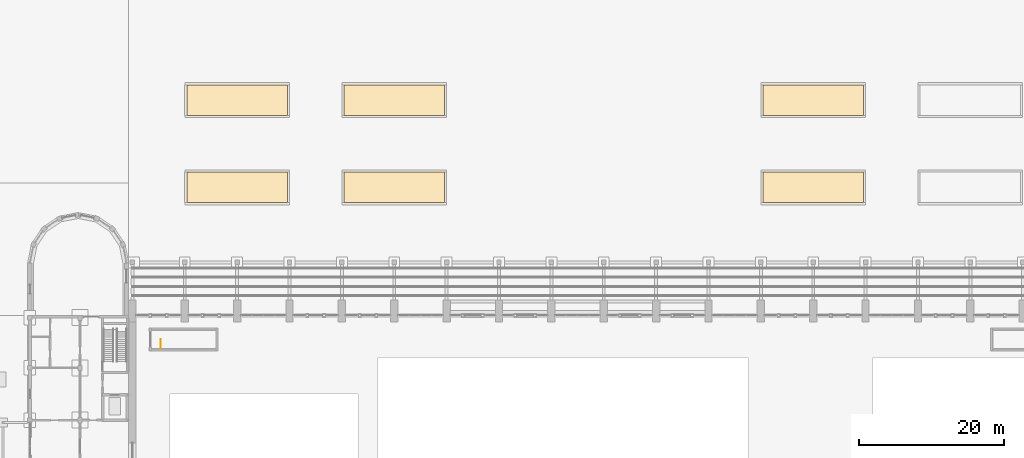
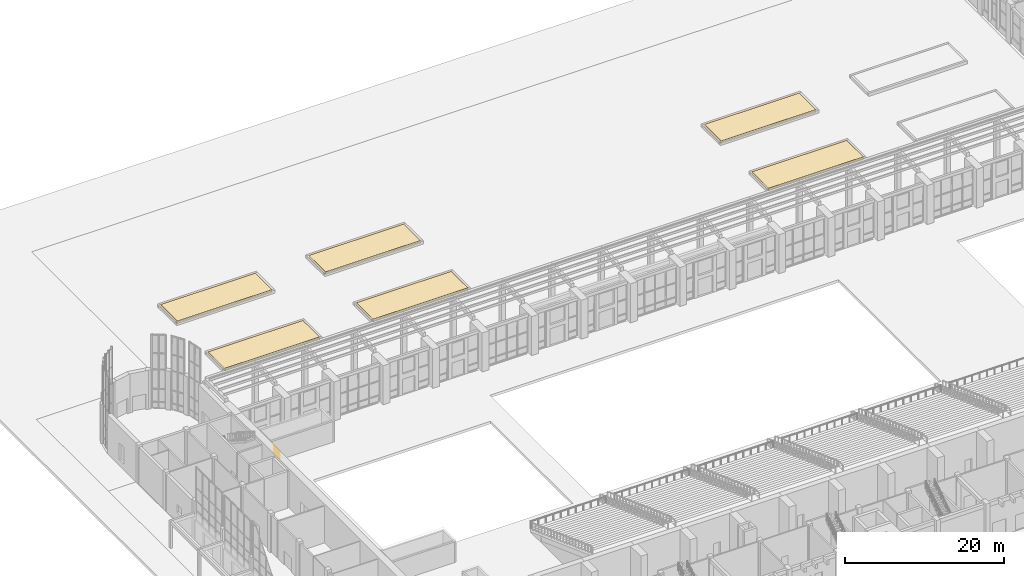
# One storey, part 65 of 70: 12 coverings, 1 railing.
"""IFC4 building model written with IfcOpenShell, lengths in metres."""

import ifcopenshell
import ifcopenshell.guid

model = None  # the IFC model being written
_history = None  # IfcOwnerHistory: only IFC2X3 demands one
_inside = {}  # id of a spatial element -> (the spatial element, [elements in it])
_under = {}  # id of a project, library or spatial element -> (it, [spatial elements below it])
_declared = {}  # id of a project -> (the project, [libraries it declares])
_typed = {}  # id of a type object -> (the type object, [elements of that type])
_made_of = {}  # id of a material, layer set ... -> (it, [elements and type objects made of it])


def new_model(schema):
    """Start an empty IFC model of exactly this schema.

    Asked for "IFC4X3", IfcOpenShell would pick the latest addendum, in which some entities
    have other attributes; the version numbers below select the first issue.
    IFC2X3 requires an IfcOwnerHistory on every rooted entity: one is made here for all.
    """
    global model, _history
    if schema == "IFC4X3":
        model = ifcopenshell.file(schema_version=(4, 3, 0, 0))
    else:
        model = ifcopenshell.file(schema=schema)
    _inside.clear()
    _under.clear()
    _declared.clear()
    _typed.clear()
    _made_of.clear()
    _history = None
    if model.schema == "IFC2X3":
        org = make("IfcOrganization", Name="unknown")
        user = make(
            "IfcPersonAndOrganization",
            ThePerson=make("IfcPerson", FamilyName="unknown"),
            TheOrganization=org,
        )
        app = make(
            "IfcApplication",
            ApplicationDeveloper=org,
            Version="unknown",
            ApplicationFullName="unknown",
            ApplicationIdentifier="unknown",
        )
        _history = make(
            "IfcOwnerHistory",
            OwningUser=user,
            OwningApplication=app,
            ChangeAction="ADDED",
            CreationDate=0,
        )
    return model


def make(cls, **values):
    """One entity of the class cls with the attributes given. An attribute that is None is left unset."""
    return model.create_entity(
        cls, **{name: value for name, value in values.items() if value is not None}
    )


def rooted(cls, **values):
    """An entity with a GlobalId (a new one), such as an element, a storey or a relation."""
    return make(cls, GlobalId=ifcopenshell.guid.new(), OwnerHistory=_history, **values)


def si_unit(unit_type, name, prefix=None):
    """IfcSIUnit, for example si_unit("LENGTHUNIT", "METRE", prefix="MILLI")."""
    return make("IfcSIUnit", UnitType=unit_type, Prefix=prefix, Name=name)


def assignment(units):
    """IfcUnitAssignment: the units of a project."""
    return None if units is None else make("IfcUnitAssignment", Units=units)


def point(xyz):
    """IfcCartesianPoint."""
    return None if xyz is None else make("IfcCartesianPoint", Coordinates=xyz)


def direction(xyz):
    """IfcDirection."""
    return None if xyz is None else make("IfcDirection", DirectionRatios=xyz)


def frame(location, z_axis=None, x_axis=None):
    """IfcAxis2Placement3D, a coordinate frame: its origin and axes. An axis left out is left unset."""
    return make(
        "IfcAxis2Placement3D",
        Location=point(location),
        Axis=direction(z_axis),
        RefDirection=direction(x_axis),
    )


def frame_2d(location, x_axis=None):
    """IfcAxis2Placement2D, a coordinate frame in the plane: its origin and x axis."""
    return make(
        "IfcAxis2Placement2D", Location=point(location), RefDirection=direction(x_axis)
    )


def origin():
    """The frame at (0, 0, 0) with its axes left unset."""
    return frame((0.0, 0.0, 0.0))


def origin_2d():
    """The frame at (0, 0) in the plane with its x axis left unset."""
    return frame_2d((0.0, 0.0))


def place(relative_to, where):
    """IfcLocalPlacement: puts the frame where relative to a parent placement (None: the world)."""
    return make(
        "IfcLocalPlacement", PlacementRelTo=relative_to, RelativePlacement=where
    )


def context(
    kind, dimensions, precision=None, world=None, true_north=None, identifier=None
):
    """IfcGeometricRepresentationContext, for example the 3D "Model" context."""
    return make(
        "IfcGeometricRepresentationContext",
        ContextIdentifier=identifier,
        ContextType=kind,
        CoordinateSpaceDimension=dimensions,
        Precision=precision,
        WorldCoordinateSystem=world,
        TrueNorth=true_north,
    )


def subcontext(parent, identifier, kind, view, scale=None):
    """IfcGeometricRepresentationSubContext, for example "Body" below "Model"."""
    return make(
        "IfcGeometricRepresentationSubContext",
        ContextIdentifier=identifier,
        ContextType=kind,
        ParentContext=parent,
        TargetScale=scale,
        TargetView=view,
    )


def project(units=None, contexts=None):
    """IfcProject with its units and contexts."""
    return rooted(
        "IfcProject",
        Name="project",
        RepresentationContexts=contexts,
        UnitsInContext=assignment(units),
    )


def spatial(cls, under=None, at=None, **own):
    """A site, building, storey or space (cls), placed at a placement, below another one or the project."""
    s = rooted(cls, ObjectPlacement=at, **own)
    if under is not None:
        _under.setdefault(under.id(), (under, []))[1].append(s)
    return s


def polyline(points):
    """IfcPolyline through the points."""
    return make("IfcPolyline", Points=[point(p) for p in points])


def profile(cls, at=None, kind="AREA", **sizes):
    """A parametric profile (cls). Its sizes go by their IFC names, for example OverallWidth=200.0."""
    return make(cls, ProfileType=kind, Position=at, **sizes)


def circle(**sizes):
    """IfcCircleProfileDef."""
    return profile("IfcCircleProfileDef", **sizes)


def outline(outer, holes=None, kind="AREA"):
    """IfcArbitraryClosedProfileDef: a profile drawn as a closed curve; with holes, ...WithVoids."""
    if holes is None:
        return make("IfcArbitraryClosedProfileDef", ProfileType=kind, OuterCurve=outer)
    return make(
        "IfcArbitraryProfileDefWithVoids",
        ProfileType=kind,
        OuterCurve=outer,
        InnerCurves=holes,
    )


def extrude(swept, where, along, depth):
    """IfcExtrudedAreaSolid: the profile swept, set in the frame where, extruded along a direction by depth."""
    return make(
        "IfcExtrudedAreaSolid",
        SweptArea=swept,
        Position=where,
        ExtrudedDirection=direction(along),
        Depth=depth,
    )


def shape(context_of_items, identifier, shape_type, items):
    """IfcShapeRepresentation: the items that make up one representation, for example the "Body"."""
    return make(
        "IfcShapeRepresentation",
        ContextOfItems=context_of_items,
        RepresentationIdentifier=identifier,
        RepresentationType=shape_type,
        Items=items,
    )


def material(Name=None, Category=None):
    """IfcMaterial."""
    return make("IfcMaterial", Name=Name, Category=Category)


def layer(
    of_material, thickness, ventilated=None, Name=None, Category=None, Priority=None
):
    """IfcMaterialLayer: one layer of a wall or slab, of a material (None: an air gap)."""
    return make(
        "IfcMaterialLayer",
        Material=of_material,
        LayerThickness=thickness,
        IsVentilated=ventilated,
        Name=Name,
        Category=Category,
        Priority=Priority,
    )


def layer_set(layers, Name=None):
    """IfcMaterialLayerSet."""
    return make("IfcMaterialLayerSet", MaterialLayers=layers, LayerSetName=Name)


def made_of(thing, what):
    """Note that an element or type object is made of a material, layer set ...; save() writes the relation."""
    if what is not None:
        _made_of.setdefault(what.id(), (what, []))[1].append(thing)
    return thing


def type_object(cls, material=None, **own):
    """A type object (cls), such as IfcWallType, which elements share."""
    return made_of(rooted(cls, **own), material)


def element(
    cls,
    number,
    at=None,
    inside=None,
    cuts=None,
    type_object=None,
    material=None,
    context=None,
    identifier="Body",
    shape_type=None,
    held_by="IfcProductDefinitionShape",
    body=None,
    shapes=None,
    **own,
):
    """One element of the class cls, such as IfcWall. Its Tag is "e" and its number.

    at: its placement. inside: the storey or other place that contains it. cuts: it is an
    opening in that element (IfcRelVoidsElement). A single representation is given by context,
    identifier, shape_type and body (its items); several are given by shapes. held_by: the class
    of the entity that holds the representations. save() writes the other relations.
    """
    e = rooted(cls, Tag="e%d" % number, ObjectPlacement=at, **own)
    if body is not None:
        shapes = [shape(context, identifier, shape_type, body)]
    if shapes is not None:
        e.Representation = make(held_by, Representations=shapes)
    if inside is not None:
        _inside.setdefault(inside.id(), (inside, []))[1].append(e)
    if cuts is not None:
        rooted(
            "IfcRelVoidsElement", RelatingBuildingElement=cuts, RelatedOpeningElement=e
        )
    if type_object is not None:
        _typed.setdefault(type_object.id(), (type_object, []))[1].append(e)
    return made_of(e, material)


def aggregate(whole, parts):
    """IfcRelAggregates: a whole, such as a stair, and the parts it consists of."""
    return rooted("IfcRelAggregates", RelatingObject=whole, RelatedObjects=parts)


def save(model, path):
    """Write the relations noted so far, then the file.

    IfcRelAggregates (storeys below a building ...), IfcRelContainedInSpatialStructure (elements
    in a storey), IfcRelDefinesByType, IfcRelAssociatesMaterial and IfcRelDeclares: one each for
    every whole, place, type object, material and project.
    """
    for whole, parts in _under.values():
        aggregate(whole, parts)
    for where, things in _inside.values():
        rooted(
            "IfcRelContainedInSpatialStructure",
            RelatedElements=things,
            RelatingStructure=where,
        )
    for kind, things in _typed.values():
        rooted("IfcRelDefinesByType", RelatedObjects=things, RelatingType=kind)
    for what, things in _made_of.values():
        rooted("IfcRelAssociatesMaterial", RelatedObjects=things, RelatingMaterial=what)
    for by, libraries in _declared.values():
        rooted("IfcRelDeclares", RelatingContext=by, RelatedDefinitions=libraries)
    model.write(path)


model = new_model("IFC4")

# Units and contexts
model_context = context("Model", 3, precision=1e-05, world=origin(), true_north=direction((0.0, 1.0)))
body_context = subcontext(model_context, "Body", "Model", "MODEL_VIEW")
ifc_project = project(units=[si_unit("LENGTHUNIT", "METRE"), si_unit("AREAUNIT", "SQUARE_METRE"), si_unit("VOLUMEUNIT", "CUBIC_METRE"), si_unit("PLANEANGLEUNIT", "RADIAN"), si_unit("MASSUNIT", "GRAM", prefix="KILO")], contexts=[model_context])

# Site, building, storey
site_placement = place(None, origin())
site = spatial("IfcSite", under=ifc_project, at=site_placement, CompositionType="ELEMENT")
building_placement = place(site_placement, origin())
building = spatial("IfcBuilding", under=site, at=building_placement, Name="Vermilion Court Aquatics Centre", CompositionType="ELEMENT")
storey_placement = place(building_placement, origin())
storey = spatial("IfcBuildingStorey", under=building, at=storey_placement, Name="L00", CompositionType="ELEMENT", Elevation=0.0)

# Coverings
ifc_material_1 = material(Name="Planting soil", Category="soil")
ifc_layer_1 = layer(ifc_material_1, 0.39990234375)
ifc_layer_set_1 = layer_set([ifc_layer_1], Name="Court planting bed soil")
covering_type_1 = type_object("IfcCoveringType", Name="Court planting bed soil", PredefinedType="FLOORING", material=ifc_layer_set_1)
covering_1_placement = place(storey_placement, origin())
element("IfcCovering", 1, at=covering_1_placement, inside=storey, type_object=covering_type_1, Name="Court planting bed soil 1", PredefinedType="FLOORING", context=body_context, shape_type="SweptSolid", body=[
    extrude(outline(polyline([(21.89990234375, 80.300048828125), (35.699951171875, 80.300048828125), (35.699951171875, 84.5), (21.89990234375, 84.5), (21.89990234375, 80.300048828125)])), origin(), (0.0, 0.0, 1.0), 0.39990234375),
])
covering_2_placement = place(storey_placement, origin())
element("IfcCovering", 2, at=covering_2_placement, inside=storey, type_object=covering_type_1, Name="Court planting bed soil 2", PredefinedType="FLOORING", context=body_context, shape_type="SweptSolid", body=[
    extrude(outline(polyline([(43.5, 80.300048828125), (57.300048828125, 80.300048828125), (57.300048828125, 84.5), (43.5, 84.5), (43.5, 80.300048828125)])), origin(), (0.0, 0.0, 1.0), 0.39990234375),
])
covering_3_placement = place(storey_placement, origin())
element("IfcCovering", 3, at=covering_3_placement, inside=storey, type_object=covering_type_1, Name="Court planting bed soil 3", PredefinedType="FLOORING", context=body_context, shape_type="SweptSolid", body=[
    extrude(outline(polyline([(101.10009765625, 80.300048828125), (114.89990234375, 80.300048828125), (114.89990234375, 84.5), (101.10009765625, 84.5), (101.10009765625, 80.300048828125)])), origin(), (0.0, 0.0, 1.0), 0.39990234375),
])
covering_4_placement = place(storey_placement, origin())
element("IfcCovering", 4, at=covering_4_placement, inside=storey, type_object=covering_type_1, Name="Court planting bed soil 5", PredefinedType="FLOORING", context=body_context, shape_type="SweptSolid", body=[
    extrude(outline(polyline([(21.89990234375, 92.300048828125), (35.699951171875, 92.300048828125), (35.699951171875, 96.5), (21.89990234375, 96.5), (21.89990234375, 92.300048828125)])), origin(), (0.0, 0.0, 1.0), 0.39990234375),
])
covering_5_placement = place(storey_placement, origin())
element("IfcCovering", 5, at=covering_5_placement, inside=storey, type_object=covering_type_1, Name="Court planting bed soil 6", PredefinedType="FLOORING", context=body_context, shape_type="SweptSolid", body=[
    extrude(outline(polyline([(43.5, 92.300048828125), (57.300048828125, 92.300048828125), (57.300048828125, 96.5), (43.5, 96.5), (43.5, 92.300048828125)])), origin(), (0.0, 0.0, 1.0), 0.39990234375),
])
covering_6_placement = place(storey_placement, origin())
element("IfcCovering", 6, at=covering_6_placement, inside=storey, type_object=covering_type_1, Name="Court planting bed soil 7", PredefinedType="FLOORING", context=body_context, shape_type="SweptSolid", body=[
    extrude(outline(polyline([(101.10009765625, 92.300048828125), (114.89990234375, 92.300048828125), (114.89990234375, 96.5), (101.10009765625, 96.5), (101.10009765625, 92.300048828125)])), origin(), (0.0, 0.0, 1.0), 0.39990234375),
])
ifc_material_2 = material(Name="Planting turf", Category="soil")
ifc_layer_2 = layer(ifc_material_2, 0.030029296875)
ifc_layer_set_2 = layer_set([ifc_layer_2], Name="Court planting bed turf")
covering_type_2 = type_object("IfcCoveringType", Name="Court planting bed turf", PredefinedType="FLOORING", material=ifc_layer_set_2)
covering_7_placement = place(storey_placement, frame((0.0, 0.0, 0.39990234375)))
element("IfcCovering", 7, at=covering_7_placement, inside=storey, type_object=covering_type_2, Name="Court planting bed turf 1", PredefinedType="FLOORING", context=body_context, shape_type="SweptSolid", body=[
    extrude(outline(polyline([(21.89990234375, 80.300048828125), (35.699951171875, 80.300048828125), (35.699951171875, 84.5), (21.89990234375, 84.5), (21.89990234375, 80.300048828125)])), origin(), (0.0, 0.0, 1.0), 0.030029296875),
])
covering_8_placement = place(storey_placement, frame((0.0, 0.0, 0.39990234375)))
element("IfcCovering", 8, at=covering_8_placement, inside=storey, type_object=covering_type_2, Name="Court planting bed turf 2", PredefinedType="FLOORING", context=body_context, shape_type="SweptSolid", body=[
    extrude(outline(polyline([(43.5, 80.300048828125), (57.300048828125, 80.300048828125), (57.300048828125, 84.5), (43.5, 84.5), (43.5, 80.300048828125)])), origin(), (0.0, 0.0, 1.0), 0.030029296875),
])
covering_9_placement = place(storey_placement, frame((0.0, 0.0, 0.39990234375)))
element("IfcCovering", 9, at=covering_9_placement, inside=storey, type_object=covering_type_2, Name="Court planting bed turf 3", PredefinedType="FLOORING", context=body_context, shape_type="SweptSolid", body=[
    extrude(outline(polyline([(101.10009765625, 80.300048828125), (114.89990234375, 80.300048828125), (114.89990234375, 84.5), (101.10009765625, 84.5), (101.10009765625, 80.300048828125)])), origin(), (0.0, 0.0, 1.0), 0.030029296875),
])
covering_10_placement = place(storey_placement, frame((0.0, 0.0, 0.39990234375)))
element("IfcCovering", 10, at=covering_10_placement, inside=storey, type_object=covering_type_2, Name="Court planting bed turf 5", PredefinedType="FLOORING", context=body_context, shape_type="SweptSolid", body=[
    extrude(outline(polyline([(21.89990234375, 92.300048828125), (35.699951171875, 92.300048828125), (35.699951171875, 96.5), (21.89990234375, 96.5), (21.89990234375, 92.300048828125)])), origin(), (0.0, 0.0, 1.0), 0.030029296875),
])
covering_11_placement = place(storey_placement, frame((0.0, 0.0, 0.39990234375)))
element("IfcCovering", 11, at=covering_11_placement, inside=storey, type_object=covering_type_2, Name="Court planting bed turf 6", PredefinedType="FLOORING", context=body_context, shape_type="SweptSolid", body=[
    extrude(outline(polyline([(43.5, 92.300048828125), (57.300048828125, 92.300048828125), (57.300048828125, 96.5), (43.5, 96.5), (43.5, 92.300048828125)])), origin(), (0.0, 0.0, 1.0), 0.030029296875),
])
covering_12_placement = place(storey_placement, frame((0.0, 0.0, 0.39990234375)))
element("IfcCovering", 12, at=covering_12_placement, inside=storey, type_object=covering_type_2, Name="Court planting bed turf 7", PredefinedType="FLOORING", context=body_context, shape_type="SweptSolid", body=[
    extrude(outline(polyline([(101.10009765625, 92.300048828125), (114.89990234375, 92.300048828125), (114.89990234375, 96.5), (101.10009765625, 96.5), (101.10009765625, 92.300048828125)])), origin(), (0.0, 0.0, 1.0), 0.030029296875),
])

# Railing
ifc_material_3 = material(Name="Steel ASTM A992 Grade 50", Category="steel")
railing_type = type_object("IfcRailingType", Name="Hall guard 1100", PredefinedType="GUARDRAIL", material=ifc_material_3)
railing_placement = place(storey_placement, frame((18.300048828125, 60.25, 0.0)))
element("IfcRailing", 13, at=railing_placement, inside=storey, type_object=railing_type, Name="Stair well guard 3", PredefinedType="GUARDRAIL", context=body_context, shape_type="SweptSolid", body=[
    extrude(circle(Radius=0.02392578125, at=origin_2d()), frame((0.0, 0.0, 1.076171875), z_axis=(0.0, 1.0, 0.0), x_axis=(-1.0, 0.0, 0.0)), (0.0, 0.0, 1.0), 1.25),
    extrude(circle(Radius=0.02099609375, at=origin_2d()), origin(), (0.0, 0.0, 1.0), 1.052001953125),
    extrude(circle(Radius=0.02099609375, at=origin_2d()), frame((0.0, 0.625, 0.0)), (0.0, 0.0, 1.0), 1.052001953125),
    extrude(circle(Radius=0.02099609375, at=origin_2d()), frame((0.0, 1.25, 0.0)), (0.0, 0.0, 1.0), 1.052001953125),
])

save(model, "model.ifc")
